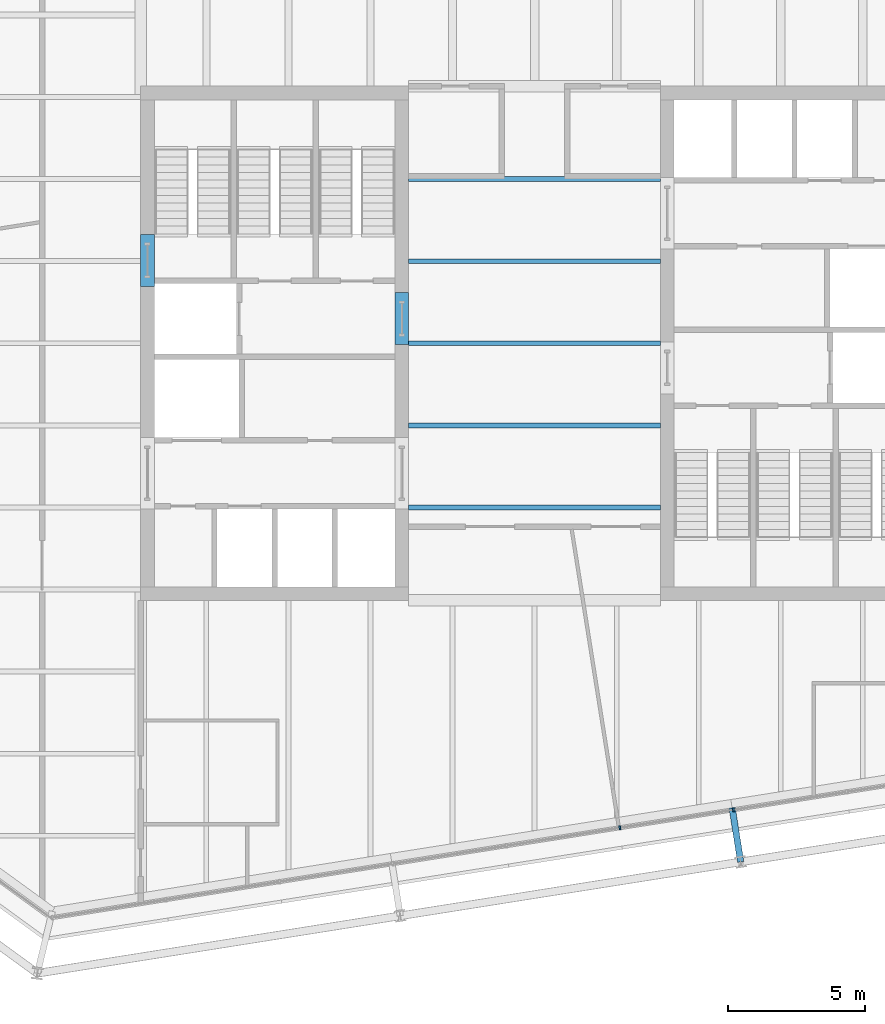
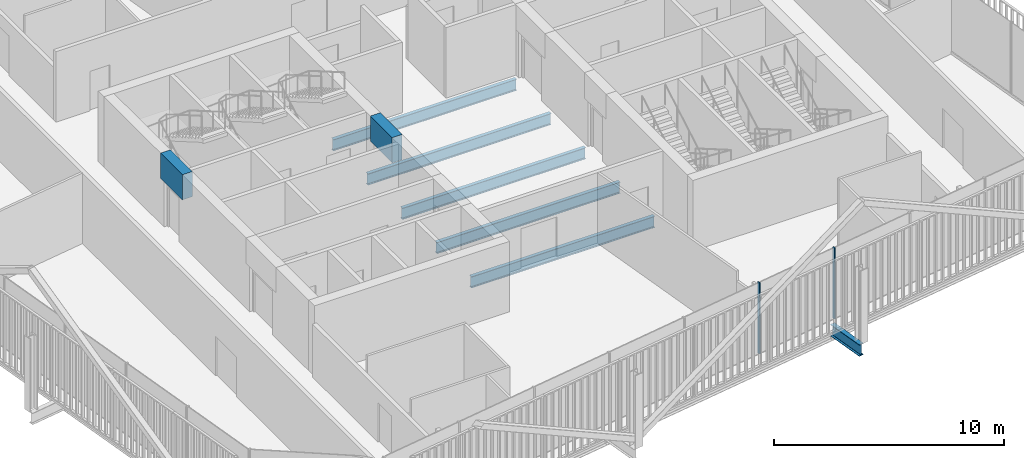
# One storey, part 8 of 21: 8 beams, 2 members, 1 element without a shape of its own.
"""IFC4 building model written with IfcOpenShell, lengths in metres."""

from ifc_helpers import new_model, si_unit, direction, frame, origin, origin_2d, place, context, subcontext, project, spatial, rectangle, i_section, extrude, material, layer, layer_set, material_profile, profile_set, type_object, element, aggregate, save


model = new_model("IFC4")

# Units and contexts
model_context = context("Model", 3, precision=1e-05, world=origin(), true_north=direction((0.0, 1.0)))
body_context = subcontext(model_context, "Body", "Model", "MODEL_VIEW")
ifc_project = project(units=[si_unit("LENGTHUNIT", "METRE"), si_unit("AREAUNIT", "SQUARE_METRE"), si_unit("VOLUMEUNIT", "CUBIC_METRE"), si_unit("PLANEANGLEUNIT", "RADIAN"), si_unit("MASSUNIT", "GRAM", prefix="KILO")], contexts=[model_context])

# Site, building, storey
site_placement = place(None, origin())
site = spatial("IfcSite", under=ifc_project, at=site_placement, CompositionType="ELEMENT")
building_placement = place(site_placement, origin())
building = spatial("IfcBuilding", under=site, at=building_placement, Name="Millrace Tower", CompositionType="ELEMENT")
storey_placement = place(building_placement, frame((0.0, 0.0, 220.300048828125)))
storey = spatial("IfcBuildingStorey", under=building, at=storey_placement, Name="L50", CompositionType="ELEMENT", Elevation=220.300048828125)

# Curtain wall, members
ifc_material_1 = material(Name="Aluminium and glass", Category="aluminium")
ifc_layer = layer(ifc_material_1, 0.14990234375)
ifc_layer_set = layer_set([ifc_layer], Name="Aluminium and glass")
curtain_wall_type = type_object("IfcCurtainWallType", Name="CW-1 office vision curtain wall", PredefinedType="NOTDEFINED", material=ifc_layer_set)
curtain_wall_placement = place(storey_placement, origin())
curtain_wall = element("IfcCurtainWall", 1, at=curtain_wall_placement, inside=storey, type_object=curtain_wall_type, Name="Curtain wall D-F02 L50", PredefinedType="NOTDEFINED")
ifc_material_2 = material(Name="Aluminium", Category="aluminium")
ifc_material_profile_1 = material_profile(ifc_material_2, rectangle(XDim=0.06494140625, YDim=0.14990234375, at=origin_2d()))
ifc_profile_set_1 = profile_set([ifc_material_profile_1], Name="Aluminium")
member_type = type_object("IfcMemberType", Name="CW-1 office vision curtain wall mullion", PredefinedType="MULLION", material=ifc_profile_set_1)
member_1_placement = place(storey_placement, frame((3.115966796875, -17.707275390625, 0.139892578125), z_axis=(0.0, 0.0, 1.0), x_axis=(0.987688339511, 0.156434471884, 0.0)))
member_1 = element("IfcMember", 2, at=member_1_placement, type_object=member_type, Name="CW1 mullion D-F02.6", PredefinedType="MULLION", context=body_context, shape_type="SweptSolid", body=[
    extrude(rectangle(XDim=0.06494140625, YDim=0.14990234375, at=origin_2d()), origin(), (0.0, 0.0, 1.0), 3.760009765625),
])
member_2_placement = place(storey_placement, frame((7.26416015625, -17.05029296875, 0.139892578125), z_axis=(0.0, 0.0, 1.0), x_axis=(0.987688339511, 0.156434471884, 0.0)))
member_2 = element("IfcMember", 3, at=member_2_placement, type_object=member_type, Name="CW1 mullion D-F02.7", PredefinedType="MULLION", context=body_context, shape_type="SweptSolid", body=[
    extrude(rectangle(XDim=0.06494140625, YDim=0.14990234375, at=origin_2d()), origin(), (0.0, 0.0, 1.0), 3.760009765625),
])
aggregate(curtain_wall, [member_1, member_2])

# Beams
ifc_material_3 = material(Name="Concrete C60", Category="concrete")
ifc_material_profile_2 = material_profile(ifc_material_3, rectangle(XDim=0.5, YDim=1.340087890625, at=origin_2d()))
ifc_profile_set_2 = profile_set([ifc_material_profile_2], Name="Concrete C60")
beam_type_1 = type_object("IfcBeamType", Name="Coupling beam 500 x 1340 Concrete C60, 1300 opening", PredefinedType="BEAM", material=ifc_profile_set_2)
beam_1_placement = place(storey_placement, frame((-14.14990234375, 2.080078125, 3.070068359375), z_axis=(0.0, 1.0, 0.0), x_axis=(-1.0, 0.0, 0.0)))
element("IfcBeam", 4, at=beam_1_placement, inside=storey, type_object=beam_type_1, Name="Coupling beam W L50", PredefinedType="BEAM", context=body_context, shape_type="SweptSolid", body=[
    extrude(rectangle(XDim=0.5, YDim=1.340087890625, at=origin_2d()), origin(), (0.0, 0.0, 1.0), 1.89990234375),
])
beam_2_placement = place(storey_placement, frame((-4.85009765625, -0.050048828125, 3.070068359375), z_axis=(0.0, 1.0, 0.0), x_axis=(-1.0, 0.0, 0.0)))
element("IfcBeam", 5, at=beam_2_placement, inside=storey, type_object=beam_type_1, Name="Coupling beam W L50", PredefinedType="BEAM", context=body_context, shape_type="SweptSolid", body=[
    extrude(rectangle(XDim=0.5, YDim=1.340087890625, at=origin_2d()), origin(), (0.0, 0.0, 1.0), 1.900146484375),
])
ifc_material_4 = material(Name="Steel ASTM A992 Grade 50", Category="steel")
ifc_material_profile_3 = material_profile(ifc_material_4, i_section(OverallWidth=0.177978515625, OverallDepth=0.599365234375, WebThickness=0.010009765625, FlangeThickness=0.012939453125, FilletRadius=0.012939453125, at=origin_2d()))
ifc_profile_set_3 = profile_set([ifc_material_profile_3], Name="Steel ASTM A992 Grade 50")
beam_type_2 = type_object("IfcBeamType", Name="Floor beam W24x55", PredefinedType="JOIST", material=ifc_profile_set_3)
for number, where, z_axis, x_axis, name in (
    (6, (-4.60009765625, -6.0, -0.459716796875), (1.0, 0.0, 0.0), (0.0, 1.0, 0.0), "BM-D-L50-S1-S008"),
    (7, (-4.60009765625, -3.0, -0.459716796875), (1.0, 0.0, 0.0), (0.0, 1.0, 0.0), "BM-D-L50-S1-S011"),
    (8, (-4.60009765625, 0.0, -0.459716796875), (1.0, 0.0, 0.0), (0.0, 1.0, 0.0), "BM-D-L50-S1-S014"),
    (9, (-4.60009765625, 3.0, -0.459716796875), (1.0, 0.0, 0.0), (0.0, 1.0, 0.0), "BM-D-L50-S1-S017"),
    (10, (-4.60009765625, 6.0, -0.459716796875), (1.0, 0.0, 0.0), (0.0, 1.0, 0.0), "BM-D-L50-S1-S020"),
):
    element("IfcBeam", number, at=place(storey_placement, frame(where, z_axis=z_axis, x_axis=x_axis)), inside=storey, type_object=beam_type_2, Name=name, PredefinedType="JOIST", context=body_context, shape_type="SweptSolid", body=[
        extrude(i_section(OverallWidth=0.177978515625, OverallDepth=0.599365234375, WebThickness=0.010009765625, FlangeThickness=0.012939453125, FilletRadius=0.012939453125, at=origin_2d()), origin(), (0.0, 0.0, 1.0), 9.2001953125),
    ])
ifc_material_5 = material(Name="Steel ASTM A992 Grade 50", Category="steel")
ifc_material_profile_4 = material_profile(ifc_material_5, i_section(OverallWidth=0.23046875, OverallDepth=0.6171875, WebThickness=0.01318359375, FlangeThickness=0.022216796875, FilletRadius=0.012939453125, at=origin_2d()))
ifc_profile_set_4 = profile_set([ifc_material_profile_4], Name="Steel ASTM A992 Grade 50")
beam_type_3 = type_object("IfcBeamType", Name="Link beam W24x94", PredefinedType="BEAM", material=ifc_profile_set_4)
beam_3_placement = place(storey_placement, frame((7.220458984375, -16.981201171875, -0.46875), z_axis=(0.156357438014, -0.987700537399, 0.0), x_axis=(0.987700537399, 0.156357438014, 0.0)))
element("IfcBeam", 11, at=beam_3_placement, inside=storey, type_object=beam_type_3, Name="LNK-D-L50-S1-14", PredefinedType="BEAM", context=body_context, shape_type="SweptSolid", body=[
    extrude(i_section(OverallWidth=0.23046875, OverallDepth=0.6171875, WebThickness=0.01318359375, FlangeThickness=0.022216796875, FilletRadius=0.012939453125, at=origin_2d()), origin(), (0.0, 0.0, 1.0), 2.000244140625),
])

save(model, "model.ifc")
